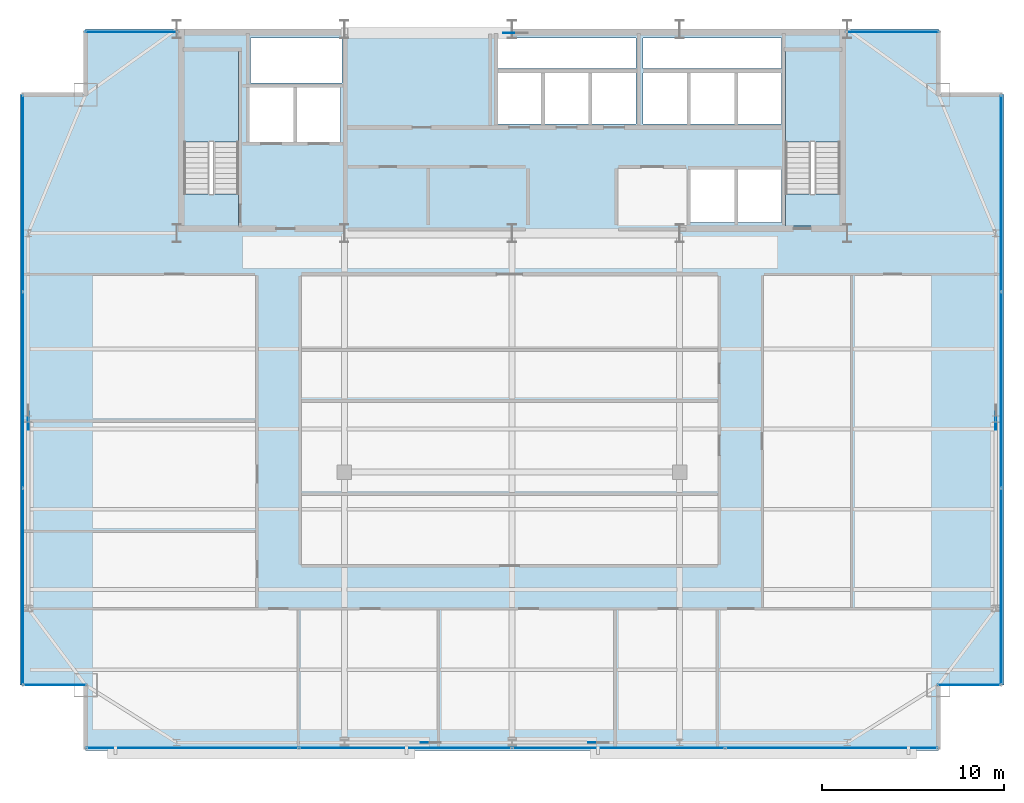
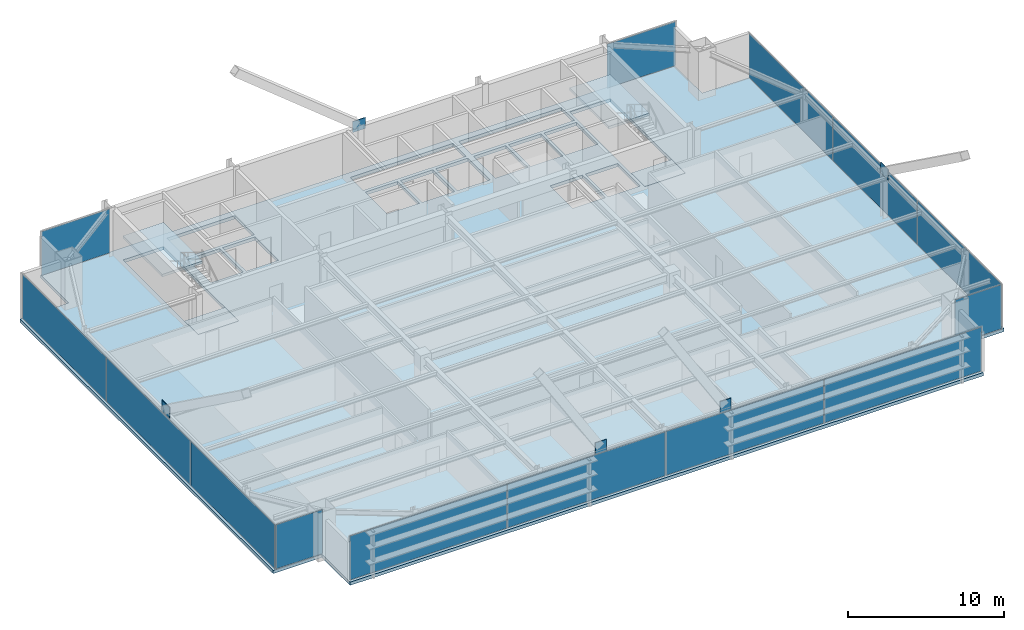
# One storey, part 23 of 30: 19 plates, 5 slabs, 9 elements without a shape of their own.
"""IFC4 building model written with IfcOpenShell, lengths in metres."""

from ifc_helpers import new_model, si_unit, direction, frame, origin, origin_2d, place, context, subcontext, project, spatial, polyline, rectangle, outline, extrude, source, transform, mapped, material, layer, layer_set, type_object, type_shapes, element, aggregate, save


model = new_model("IFC4")

# Units and contexts
model_context = context("Model", 3, precision=1e-05, world=origin(), true_north=direction((0.0, 1.0)))
body_context = subcontext(model_context, "Body", "Model", "MODEL_VIEW")
ifc_project = project(units=[si_unit("LENGTHUNIT", "METRE"), si_unit("AREAUNIT", "SQUARE_METRE"), si_unit("VOLUMEUNIT", "CUBIC_METRE"), si_unit("PLANEANGLEUNIT", "RADIAN"), si_unit("MASSUNIT", "GRAM", prefix="KILO")], contexts=[model_context])

# Site, building, storey
site_placement = place(None, origin())
site = spatial("IfcSite", under=ifc_project, at=site_placement, CompositionType="ELEMENT")
building_placement = place(site_placement, origin())
building = spatial("IfcBuilding", under=site, at=building_placement, Name="Varnel Quay Broadcast Tower", CompositionType="ELEMENT")
storey_placement = place(building_placement, frame((0.0, 0.0, 180.0)))
storey = spatial("IfcBuildingStorey", under=building, at=storey_placement, Name="L44", CompositionType="ELEMENT", Elevation=180.0)

# Slabs
ifc_material_1 = material(Name="Concrete CSA A23.3 C50/60", Category="concrete")
ifc_layer_1 = layer(ifc_material_1, 0.25, Name="Concrete CSA A23.3 C50/60")
ifc_layer_set_1 = layer_set([ifc_layer_1], Name="Concrete CSA A23.3 C50/60")
slab_type_1 = type_object("IfcSlabType", Name="Slab_Floor250", PredefinedType="FLOOR", material=ifc_layer_set_1)
slab_1_placement = place(storey_placement, frame((0.0, 0.0, -0.25)))
element("IfcSlab", 1, at=slab_1_placement, inside=storey, type_object=slab_type_1, Name="L44 Structural Slab", PredefinedType="FLOOR", context=body_context, shape_type="SweptSolid", body=[
    extrude(outline(polyline([(10.60009765625, 7.199951171875), (57.39990234375, 7.199951171875), (57.39990234375, 10.800048828125), (61.0, 10.800048828125), (61.0, 43.199951171875), (57.39990234375, 43.199951171875), (57.39990234375, 46.800048828125), (10.60009765625, 46.800048828125), (10.60009765625, 43.199951171875), (7.0, 43.199951171875), (7.0, 10.800048828125), (10.60009765625, 10.800048828125), (10.60009765625, 7.199951171875)]), holes=[polyline([(19.0, 36.0), (16.0, 36.0), (16.0, 45.60009765625), (19.0, 45.60009765625), (19.0, 36.0)]), polyline([(19.60009765625, 43.60009765625), (22.0, 43.60009765625), (22.0, 40.60009765625), (19.60009765625, 40.60009765625), (19.60009765625, 43.60009765625)]), polyline([(22.199951171875, 43.60009765625), (24.60009765625, 43.60009765625), (24.60009765625, 40.60009765625), (22.199951171875, 40.60009765625), (22.199951171875, 43.60009765625)]), polyline([(33.199951171875, 44.39990234375), (35.60009765625, 44.39990234375), (35.60009765625, 41.60009765625), (33.199951171875, 41.60009765625), (33.199951171875, 44.39990234375)]), polyline([(35.800048828125, 44.39990234375), (38.199951171875, 44.39990234375), (38.199951171875, 41.60009765625), (35.800048828125, 41.60009765625), (35.800048828125, 44.39990234375)]), polyline([(38.39990234375, 44.39990234375), (40.800048828125, 44.39990234375), (40.800048828125, 41.60009765625), (38.39990234375, 41.60009765625), (38.39990234375, 44.39990234375)]), polyline([(19.64990234375, 46.300048828125), (24.679931640625, 46.300048828125), (24.679931640625, 43.85009765625), (19.64990234375, 43.85009765625), (19.64990234375, 46.300048828125)]), polyline([(33.199951171875, 46.300048828125), (40.800048828125, 46.300048828125), (40.800048828125, 44.64990234375), (33.199951171875, 44.64990234375), (33.199951171875, 46.300048828125)]), polyline([(43.800048828125, 39.10009765625), (46.199951171875, 39.10009765625), (46.199951171875, 36.199951171875), (43.800048828125, 36.199951171875), (43.800048828125, 39.10009765625)]), polyline([(46.39990234375, 39.10009765625), (48.800048828125, 39.10009765625), (48.800048828125, 36.199951171875), (46.39990234375, 36.199951171875), (46.39990234375, 39.10009765625)]), polyline([(49.0, 36.0), (49.0, 45.60009765625), (52.0, 45.60009765625), (52.0, 36.0), (49.0, 36.0)]), polyline([(41.199951171875, 44.39990234375), (43.60009765625, 44.39990234375), (43.60009765625, 41.60009765625), (41.199951171875, 41.60009765625), (41.199951171875, 44.39990234375)]), polyline([(43.800048828125, 44.39990234375), (46.199951171875, 44.39990234375), (46.199951171875, 41.60009765625), (43.800048828125, 41.60009765625), (43.800048828125, 44.39990234375)]), polyline([(46.39990234375, 44.39990234375), (48.800048828125, 44.39990234375), (48.800048828125, 41.60009765625), (46.39990234375, 41.60009765625), (46.39990234375, 44.39990234375)]), polyline([(41.199951171875, 46.300048828125), (48.800048828125, 46.300048828125), (48.800048828125, 44.64990234375), (41.199951171875, 44.64990234375), (41.199951171875, 46.300048828125)])]), origin(), (0.0, 0.0, 1.0), 0.25),
])
ifc_layer_2 = layer(ifc_material_1, 0.25, Name="Concrete CSA A23.3 C50/60")
ifc_layer_set_2 = layer_set([ifc_layer_2], Name="Concrete CSA A23.3 C50/60")
slab_type_2 = type_object("IfcSlabType", Name="Slab_StairFloorLanding250", PredefinedType="FLOOR", material=ifc_layer_set_2)
slab_2_placement = place(storey_placement, frame((0.0, 0.0, -0.25)))
element("IfcSlab", 2, at=slab_2_placement, inside=storey, type_object=slab_type_2, Name="L44 ST-01 Structural Floor Landing Slab", PredefinedType="FLOOR", context=body_context, shape_type="SweptSolid", body=[
    extrude(outline(polyline([(19.0, 36.0), (19.0, 37.75), (16.0, 37.75), (16.0, 36.0), (19.0, 36.0)])), origin(), (0.0, 0.0, 1.0), 0.25),
])
slab_3_placement = place(storey_placement, frame((0.0, 0.0, -0.25)))
element("IfcSlab", 3, at=slab_3_placement, inside=storey, type_object=slab_type_2, Name="L44 ST-02 Structural Floor Landing Slab", PredefinedType="FLOOR", context=body_context, shape_type="SweptSolid", body=[
    extrude(outline(polyline([(52.0, 36.0), (52.0, 37.75), (49.0, 37.75), (49.0, 36.0), (52.0, 36.0)])), origin(), (0.0, 0.0, 1.0), 0.25),
])

# Stair, slab
ifc_material_2 = material(Name="Precast Structural Concrete C40/50", Category="concrete")
stair_type_1 = type_object("IfcStairType", Name="Stair_ST-01", PredefinedType="HALF_TURN_STAIR", material=ifc_material_2)
stair_1_placement = place(storey_placement, origin())
stair_1 = element("IfcStair", 4, at=stair_1_placement, inside=storey, type_object=stair_type_1, Name="L44 West Core Exit Stair 1", PredefinedType="HALF_TURN_STAIR")
ifc_layer_3 = layer(ifc_material_2, 0.199951171875, Name="Precast Structural Concrete C40/50")
ifc_layer_set_3 = layer_set([ifc_layer_3], Name="Precast Structural Concrete C40/50")
slab_type_3 = type_object("IfcSlabType", Name="Slab_StairLanding200", PredefinedType="LANDING", material=ifc_layer_set_3)
slab_4_placement = place(storey_placement, frame((0.0, 0.0, 1.699951171875)))
slab_4 = element("IfcSlab", 5, at=slab_4_placement, type_object=slab_type_3, Name="ST-01 landing 1", PredefinedType="LANDING", context=body_context, shape_type="SweptSolid", body=[
    extrude(outline(polyline([(19.0, 40.60009765625), (19.0, 45.60009765625), (16.0, 45.60009765625), (16.0, 40.60009765625), (19.0, 40.60009765625)])), origin(), (0.0, 0.0, 1.0), 0.199951171875),
])
aggregate(stair_1, [slab_4])

stair_type_2 = type_object("IfcStairType", Name="Stair_ST-02", PredefinedType="HALF_TURN_STAIR", material=ifc_material_2)
stair_2_placement = place(storey_placement, origin())
stair_2 = element("IfcStair", 6, at=stair_2_placement, inside=storey, type_object=stair_type_2, Name="L44 East Core Exit Stair 2", PredefinedType="HALF_TURN_STAIR")
slab_5_placement = place(storey_placement, frame((0.0, 0.0, 1.699951171875)))
slab_5 = element("IfcSlab", 7, at=slab_5_placement, type_object=slab_type_3, Name="ST-02 landing 1", PredefinedType="LANDING", context=body_context, shape_type="SweptSolid", body=[
    extrude(outline(polyline([(52.0, 40.60009765625), (52.0, 45.60009765625), (49.0, 45.60009765625), (49.0, 40.60009765625), (52.0, 40.60009765625)])), origin(), (0.0, 0.0, 1.0), 0.199951171875),
])
aggregate(stair_2, [slab_5])

# Plates
ifc_material_3 = material(Name="Structural Steel CSA G40.21 350WT", Category="steel")
ifc_layer_4 = layer(ifc_material_3, 0.0400390625, Name="Structural Steel CSA G40.21 350WT")
ifc_layer_set_4 = layer_set([ifc_layer_4], Name="Structural Steel CSA G40.21 350WT")
plate_type_1 = type_object("IfcPlateType", Name="Plate_MegaGusset", PredefinedType="USERDEFINED", material=ifc_layer_set_4)
shared_shape_1 = source(origin(), body_context, "Body", "SweptSolid", [
    extrude(rectangle(XDim=0.819091796875, YDim=0.0400390625, at=origin_2d()), origin(), (0.0, 0.0, 1.0), 1.052978515625),
])
for number, where, z_axis, x_axis, name in (
    (8, (29.39990234375, 7.64990234375, 3.13330078125), (0.0, 0.0, 1.0), (1.0, 0.0, 0.0), "Zone 3 Mega-Brace S-C1T3 Central X-Crossing Gusset Plate"),
    (9, (38.60009765625, 7.64990234375, 3.13330078125), (0.0, 0.0, 1.0), (1.0, 0.0, 0.0), "Zone 3 Mega-Brace S-C2T3 Central X-Crossing Gusset Plate"),
):
    element("IfcPlate", number, at=place(storey_placement, frame(where, z_axis=z_axis, x_axis=x_axis)), inside=storey, type_object=plate_type_1, Name=name, ObjectType="GUSSET_PLATE", PredefinedType="USERDEFINED", context=body_context, shape_type="MappedRepresentation", body=[
        mapped(shared_shape_1, transform((0.0, 0.0, 0.0), x_axis=(1.0, 0.0, 0.0), y_axis=(0.0, 1.0, 0.0), z_axis=(0.0, 0.0, 1.0), scale=1.0)),
    ])
shared_shape_2 = source(origin(), body_context, "Body", "SweptSolid", [
    extrude(rectangle(XDim=0.9560546875, YDim=0.0400390625, at=origin_2d()), origin(), (0.0, 0.0, 1.0), 0.85693359375),
])
plate_1_placement = place(storey_placement, frame((34.0, 46.580078125, 3.2314453125), z_axis=(0.0, 0.0, 1.0), x_axis=(1.0, 0.0, 0.0)))
element("IfcPlate", 10, at=plate_1_placement, inside=storey, type_object=plate_type_1, Name="Zone 3 Mega-Brace N-CT3 Central X-Crossing Gusset Plate", ObjectType="GUSSET_PLATE", PredefinedType="USERDEFINED", context=body_context, shape_type="MappedRepresentation", body=[
    mapped(shared_shape_2, transform((0.0, 0.0, 0.0), x_axis=(1.0, 0.0, 0.0), y_axis=(0.0, 1.0, 0.0), z_axis=(0.0, 0.0, 1.0), scale=1.0)),
])
shared_shape_3 = source(origin(), body_context, "Body", "SweptSolid", [
    extrude(rectangle(XDim=0.992919921875, YDim=0.0400390625, at=origin_2d()), origin(), (0.0, 0.0, 1.0), 0.839111328125),
])
type_shapes(plate_type_1, [shared_shape_1, shared_shape_2, shared_shape_3])
for number, where, z_axis, x_axis, name in (
    (11, (7.449951171875, 25.300048828125, 3.240234375), (0.0, 0.0, 1.0), (0.0, 1.0, 0.0), "Zone 3 Mega-Brace W-FT3 Central X-Crossing Gusset Plate"),
    (12, (60.550048828125, 25.300048828125, 3.240234375), (0.0, 0.0, 1.0), (0.0, 1.0, 0.0), "Zone 3 Mega-Brace E-FT3 Central X-Crossing Gusset Plate"),
):
    element("IfcPlate", number, at=place(storey_placement, frame(where, z_axis=z_axis, x_axis=x_axis)), inside=storey, type_object=plate_type_1, Name=name, ObjectType="GUSSET_PLATE", PredefinedType="USERDEFINED", context=body_context, shape_type="MappedRepresentation", body=[
        mapped(shared_shape_3, transform((0.0, 0.0, 0.0), x_axis=(1.0, 0.0, 0.0), y_axis=(0.0, 1.0, 0.0), z_axis=(0.0, 0.0, 1.0), scale=1.0)),
    ])

# Curtain wall, plate
ifc_material_4 = material(Name="Anodised Bronze Aluminium 6063-T6", Category="aluminium")
ifc_layer_5 = layer(ifc_material_4, 0.18994140625, Name="Anodised Bronze Aluminium 6063-T6")
ifc_layer_set_5 = layer_set([ifc_layer_5], Name="Anodised Bronze Aluminium 6063-T6")
curtain_wall_type_1 = type_object("IfcCurtainWallType", Name="CW_NotchCorner", PredefinedType="NOTDEFINED", material=ifc_layer_set_5)
curtain_wall_1_placement = place(storey_placement, origin())
curtain_wall_1 = element("IfcCurtainWall", 13, at=curtain_wall_1_placement, inside=storey, type_object=curtain_wall_type_1, Name="L44 SW Notch Curtain Wall", PredefinedType="NOTDEFINED")
ifc_material_5 = material(Name="Triple-Glazed Bronze Low-E Architectural Glass", Category="glass")
ifc_layer_6 = layer(ifc_material_5, 0.028076171875, Name="Triple-Glazed Bronze Low-E Architectural Glass")
ifc_layer_set_6 = layer_set([ifc_layer_6], Name="Triple-Glazed Bronze Low-E Architectural Glass")
plate_type_2 = type_object("IfcPlateType", Name="Panel_CWS-04", PredefinedType="CURTAIN_PANEL", material=ifc_layer_set_6)
shared_shape_4 = source(origin(), body_context, "Body", "SweptSolid", [
    extrude(rectangle(XDim=3.409912109375, YDim=0.028076171875, at=origin_2d()), origin(), (0.0, 0.0, 1.0), 3.43994140625),
])
type_shapes(plate_type_2, [shared_shape_4])
plate_2_placement = place(storey_placement, frame((8.9150390625, 10.800048828125, 0.054931640625), z_axis=(0.0, 0.0, 1.0), x_axis=(1.0, 0.0, 0.0)))
plate_2 = element("IfcPlate", 14, at=plate_2_placement, type_object=plate_type_2, Name="CWS-04 panel 1.1", PredefinedType="CURTAIN_PANEL", context=body_context, shape_type="MappedRepresentation", body=[
    mapped(shared_shape_4, transform((0.0, 0.0, 0.0), x_axis=(1.0, 0.0, 0.0), y_axis=(0.0, 1.0, 0.0), z_axis=(0.0, 0.0, 1.0), scale=1.0)),
])
aggregate(curtain_wall_1, [plate_2])

curtain_wall_2_placement = place(storey_placement, origin())
curtain_wall_2 = element("IfcCurtainWall", 15, at=curtain_wall_2_placement, inside=storey, type_object=curtain_wall_type_1, Name="L44 SE Notch Curtain Wall", PredefinedType="NOTDEFINED")
plate_3_placement = place(storey_placement, frame((59.0849609375, 10.800048828125, 0.054931640625), z_axis=(0.0, 0.0, 1.0), x_axis=(1.0, 0.0, 0.0)))
plate_3 = element("IfcPlate", 16, at=plate_3_placement, type_object=plate_type_2, Name="CWS-04 panel 1.1", PredefinedType="CURTAIN_PANEL", context=body_context, shape_type="MappedRepresentation", body=[
    mapped(shared_shape_4, transform((0.0, 0.0, 0.0), x_axis=(1.0, 0.0, 0.0), y_axis=(0.0, 1.0, 0.0), z_axis=(0.0, 0.0, 1.0), scale=1.0)),
])
aggregate(curtain_wall_2, [plate_3])

ifc_layer_7 = layer(ifc_material_4, 0.18994140625, Name="Anodised Bronze Aluminium 6063-T6")
ifc_layer_set_7 = layer_set([ifc_layer_7], Name="Anodised Bronze Aluminium 6063-T6")
curtain_wall_type_2 = type_object("IfcCurtainWallType", Name="CW_UpperTower", PredefinedType="NOTDEFINED", material=ifc_layer_set_7)
curtain_wall_3_placement = place(storey_placement, origin())
curtain_wall_3 = element("IfcCurtainWall", 17, at=curtain_wall_3_placement, inside=storey, type_object=curtain_wall_type_2, Name="L44 West Unitised Curtain Wall", PredefinedType="NOTDEFINED")
ifc_material_6 = material(Name="Insulated Bronze Spandrel Glass", Category="glass")
ifc_layer_8 = layer(ifc_material_6, 0.030029296875, Name="Insulated Bronze Spandrel Glass")
ifc_layer_set_8 = layer_set([ifc_layer_8], Name="Insulated Bronze Spandrel Glass")
plate_type_3 = type_object("IfcPlateType", Name="PanelSp_CWS-03", PredefinedType="CURTAIN_PANEL", material=ifc_layer_set_8)
shared_shape_5 = source(origin(), body_context, "Body", "SweptSolid", [
    extrude(rectangle(XDim=10.702392578125, YDim=0.030029296875, at=origin_2d()), origin(), (0.0, 0.0, 1.0), 3.429931640625),
])
plate_4_placement = place(storey_placement, frame((7.14990234375, 16.21630859375, 0.06005859375), z_axis=(0.0, 0.0, 1.0), x_axis=(0.0, 1.0, 0.0)))
plate_4 = element("IfcPlate", 18, at=plate_4_placement, type_object=plate_type_3, Name="CWS-03 panel 1.1", PredefinedType="CURTAIN_PANEL", context=body_context, shape_type="MappedRepresentation", body=[
    mapped(shared_shape_5, transform((0.0, 0.0, 0.0), x_axis=(1.0, 0.0, 0.0), y_axis=(0.0, 1.0, 0.0), z_axis=(0.0, 0.0, 1.0), scale=1.0)),
])

curtain_wall_4_placement = place(storey_placement, origin())
curtain_wall_4 = element("IfcCurtainWall", 19, at=curtain_wall_4_placement, inside=storey, type_object=curtain_wall_type_2, Name="L44 East Unitised Curtain Wall", PredefinedType="NOTDEFINED")
plate_5_placement = place(storey_placement, frame((60.85009765625, 16.21630859375, 0.06005859375), z_axis=(0.0, 0.0, 1.0), x_axis=(0.0, 1.0, 0.0)))
plate_5 = element("IfcPlate", 20, at=plate_5_placement, type_object=plate_type_3, Name="CWS-03 panel 1.1", PredefinedType="CURTAIN_PANEL", context=body_context, shape_type="MappedRepresentation", body=[
    mapped(shared_shape_5, transform((0.0, 0.0, 0.0), x_axis=(1.0, 0.0, 0.0), y_axis=(0.0, 1.0, 0.0), z_axis=(0.0, 0.0, 1.0), scale=1.0)),
])

# Plate
shared_shape_6 = source(origin(), body_context, "Body", "SweptSolid", [
    extrude(rectangle(XDim=10.735107421875, YDim=0.030029296875, at=origin_2d()), origin(), (0.0, 0.0, 1.0), 3.429931640625),
])
plate_6_placement = place(storey_placement, frame((7.14990234375, 27.0, 0.06005859375), z_axis=(0.0, 0.0, 1.0), x_axis=(0.0, 1.0, 0.0)))
plate_6 = element("IfcPlate", 21, at=plate_6_placement, type_object=plate_type_3, Name="CWS-03 panel 2.1", PredefinedType="CURTAIN_PANEL", context=body_context, shape_type="MappedRepresentation", body=[
    mapped(shared_shape_6, transform((0.0, 0.0, 0.0), x_axis=(1.0, 0.0, 0.0), y_axis=(0.0, 1.0, 0.0), z_axis=(0.0, 0.0, 1.0), scale=1.0)),
])

plate_7_placement = place(storey_placement, frame((60.85009765625, 27.0, 0.06005859375), z_axis=(0.0, 0.0, 1.0), x_axis=(0.0, 1.0, 0.0)))
plate_7 = element("IfcPlate", 22, at=plate_7_placement, type_object=plate_type_3, Name="CWS-03 panel 2.1", PredefinedType="CURTAIN_PANEL", context=body_context, shape_type="MappedRepresentation", body=[
    mapped(shared_shape_6, transform((0.0, 0.0, 0.0), x_axis=(1.0, 0.0, 0.0), y_axis=(0.0, 1.0, 0.0), z_axis=(0.0, 0.0, 1.0), scale=1.0)),
])

# Curtain wall, plate
curtain_wall_5_placement = place(storey_placement, origin())
curtain_wall_5 = element("IfcCurtainWall", 23, at=curtain_wall_5_placement, inside=storey, type_object=curtain_wall_type_2, Name="L44 NW Wing Curtain Wall", PredefinedType="NOTDEFINED")
ifc_layer_9 = layer(ifc_material_5, 0.030029296875, Name="Triple-Glazed Bronze Low-E Architectural Glass")
ifc_layer_set_9 = layer_set([ifc_layer_9], Name="Triple-Glazed Bronze Low-E Architectural Glass")
plate_type_4 = type_object("IfcPlateType", Name="Panel_CWS-03", PredefinedType="CURTAIN_PANEL", material=ifc_layer_set_9)
shared_shape_7 = source(origin(), body_context, "Body", "SweptSolid", [
    extrude(rectangle(XDim=5.050048828125, YDim=0.030029296875, at=origin_2d()), origin(), (0.0, 0.0, 1.0), 3.429931640625),
])
plate_8_placement = place(storey_placement, frame((13.110107421875, 46.64990234375, 0.06005859375), z_axis=(0.0, 0.0, 1.0), x_axis=(1.0, 0.0, 0.0)))
plate_8 = element("IfcPlate", 24, at=plate_8_placement, type_object=plate_type_4, Name="CWS-03 panel 1.1", PredefinedType="CURTAIN_PANEL", context=body_context, shape_type="MappedRepresentation", body=[
    mapped(shared_shape_7, transform((0.0, 0.0, 0.0), x_axis=(1.0, 0.0, 0.0), y_axis=(0.0, 1.0, 0.0), z_axis=(0.0, 0.0, 1.0), scale=1.0)),
])
aggregate(curtain_wall_5, [plate_8])

curtain_wall_6_placement = place(storey_placement, origin())
curtain_wall_6 = element("IfcCurtainWall", 25, at=curtain_wall_6_placement, inside=storey, type_object=curtain_wall_type_2, Name="L44 NE Wing Curtain Wall", PredefinedType="NOTDEFINED")
plate_9_placement = place(storey_placement, frame((54.889892578125, 46.64990234375, 0.06005859375), z_axis=(0.0, 0.0, 1.0), x_axis=(1.0, 0.0, 0.0)))
plate_9 = element("IfcPlate", 26, at=plate_9_placement, type_object=plate_type_4, Name="CWS-03 panel 1.1", PredefinedType="CURTAIN_PANEL", context=body_context, shape_type="MappedRepresentation", body=[
    mapped(shared_shape_7, transform((0.0, 0.0, 0.0), x_axis=(1.0, 0.0, 0.0), y_axis=(0.0, 1.0, 0.0), z_axis=(0.0, 0.0, 1.0), scale=1.0)),
])
aggregate(curtain_wall_6, [plate_9])

# Curtain wall, plates
curtain_wall_7_placement = place(storey_placement, origin())
curtain_wall_7 = element("IfcCurtainWall", 27, at=curtain_wall_7_placement, inside=storey, type_object=curtain_wall_type_2, Name="L44 South Unitised Curtain Wall 1", PredefinedType="NOTDEFINED")
shared_shape_8 = source(origin(), body_context, "Body", "SweptSolid", [
    extrude(rectangle(XDim=11.6025390625, YDim=0.030029296875, at=origin_2d()), origin(), (0.0, 0.0, 1.0), 3.429931640625),
])
plate_10_placement = place(storey_placement, frame((16.46630859375, 7.35009765625, 0.06005859375), z_axis=(0.0, 0.0, 1.0), x_axis=(1.0, 0.0, 0.0)))
plate_10 = element("IfcPlate", 28, at=plate_10_placement, type_object=plate_type_4, Name="CWS-03 panel 1.1", PredefinedType="CURTAIN_PANEL", context=body_context, shape_type="MappedRepresentation", body=[
    mapped(shared_shape_8, transform((0.0, 0.0, 0.0), x_axis=(1.0, 0.0, 0.0), y_axis=(0.0, 1.0, 0.0), z_axis=(0.0, 0.0, 1.0), scale=1.0)),
])
plate_11_placement = place(storey_placement, frame((51.53369140625, 7.35009765625, 0.06005859375), z_axis=(0.0, 0.0, 1.0), x_axis=(1.0, 0.0, 0.0)))
plate_11 = element("IfcPlate", 29, at=plate_11_placement, type_object=plate_type_4, Name="CWS-03 panel 4.1", PredefinedType="CURTAIN_PANEL", context=body_context, shape_type="MappedRepresentation", body=[
    mapped(shared_shape_8, transform((0.0, 0.0, 0.0), x_axis=(1.0, 0.0, 0.0), y_axis=(0.0, 1.0, 0.0), z_axis=(0.0, 0.0, 1.0), scale=1.0)),
])
shared_shape_9 = source(origin(), body_context, "Body", "SweptSolid", [
    extrude(rectangle(XDim=11.635009765625, YDim=0.030029296875, at=origin_2d()), origin(), (0.0, 0.0, 1.0), 3.429931640625),
])
type_shapes(plate_type_3, [shared_shape_5, shared_shape_6, shared_shape_9])
plate_12_placement = place(storey_placement, frame((28.14990234375, 7.35009765625, 0.06005859375), z_axis=(0.0, 0.0, 1.0), x_axis=(1.0, 0.0, 0.0)))
plate_12 = element("IfcPlate", 30, at=plate_12_placement, type_object=plate_type_3, Name="CWS-03 panel 2.1", PredefinedType="CURTAIN_PANEL", context=body_context, shape_type="MappedRepresentation", body=[
    mapped(shared_shape_9, transform((0.0, 0.0, 0.0), x_axis=(1.0, 0.0, 0.0), y_axis=(0.0, 1.0, 0.0), z_axis=(0.0, 0.0, 1.0), scale=1.0)),
])
plate_13_placement = place(storey_placement, frame((39.85009765625, 7.35009765625, 0.06005859375), z_axis=(0.0, 0.0, 1.0), x_axis=(1.0, 0.0, 0.0)))
plate_13 = element("IfcPlate", 31, at=plate_13_placement, type_object=plate_type_3, Name="CWS-03 panel 3.1", PredefinedType="CURTAIN_PANEL", context=body_context, shape_type="MappedRepresentation", body=[
    mapped(shared_shape_9, transform((0.0, 0.0, 0.0), x_axis=(1.0, 0.0, 0.0), y_axis=(0.0, 1.0, 0.0), z_axis=(0.0, 0.0, 1.0), scale=1.0)),
])
aggregate(curtain_wall_7, [plate_10, plate_12, plate_13, plate_11])

# Plate
shared_shape_10 = source(origin(), body_context, "Body", "SweptSolid", [
    extrude(rectangle(XDim=10.702392578125, YDim=0.030029296875, at=origin_2d()), origin(), (0.0, 0.0, 1.0), 3.429931640625),
])
type_shapes(plate_type_4, [shared_shape_7, shared_shape_8, shared_shape_10])
plate_14_placement = place(storey_placement, frame((7.14990234375, 37.78369140625, 0.06005859375), z_axis=(0.0, 0.0, 1.0), x_axis=(0.0, 1.0, 0.0)))
plate_14 = element("IfcPlate", 32, at=plate_14_placement, type_object=plate_type_4, Name="CWS-03 panel 3.1", PredefinedType="CURTAIN_PANEL", context=body_context, shape_type="MappedRepresentation", body=[
    mapped(shared_shape_10, transform((0.0, 0.0, 0.0), x_axis=(1.0, 0.0, 0.0), y_axis=(0.0, 1.0, 0.0), z_axis=(0.0, 0.0, 1.0), scale=1.0)),
])

aggregate(curtain_wall_3, [plate_4, plate_6, plate_14])

plate_15_placement = place(storey_placement, frame((60.85009765625, 37.78369140625, 0.06005859375), z_axis=(0.0, 0.0, 1.0), x_axis=(0.0, 1.0, 0.0)))
plate_15 = element("IfcPlate", 33, at=plate_15_placement, type_object=plate_type_4, Name="CWS-03 panel 3.1", PredefinedType="CURTAIN_PANEL", context=body_context, shape_type="MappedRepresentation", body=[
    mapped(shared_shape_10, transform((0.0, 0.0, 0.0), x_axis=(1.0, 0.0, 0.0), y_axis=(0.0, 1.0, 0.0), z_axis=(0.0, 0.0, 1.0), scale=1.0)),
])

aggregate(curtain_wall_4, [plate_5, plate_7, plate_15])

save(model, "model.ifc")
